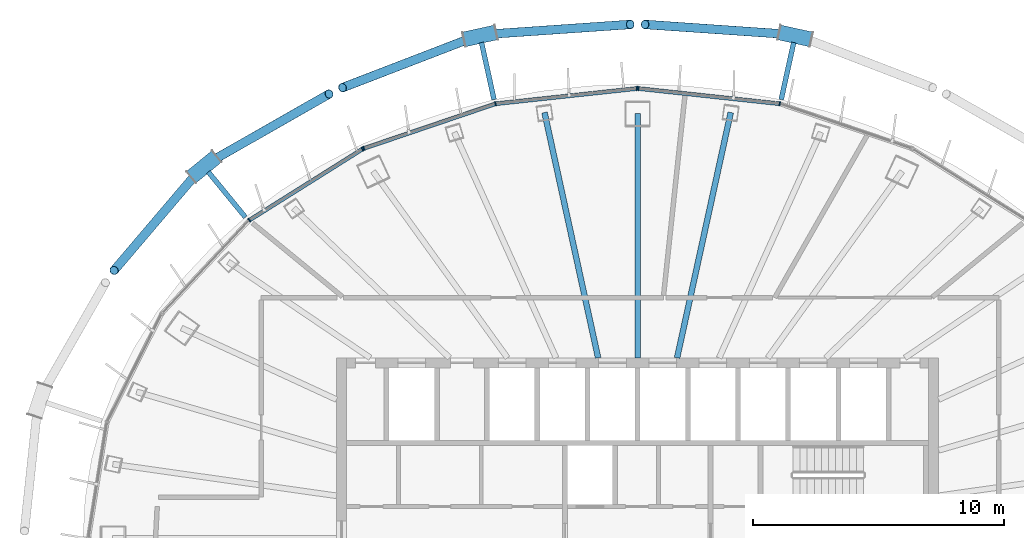
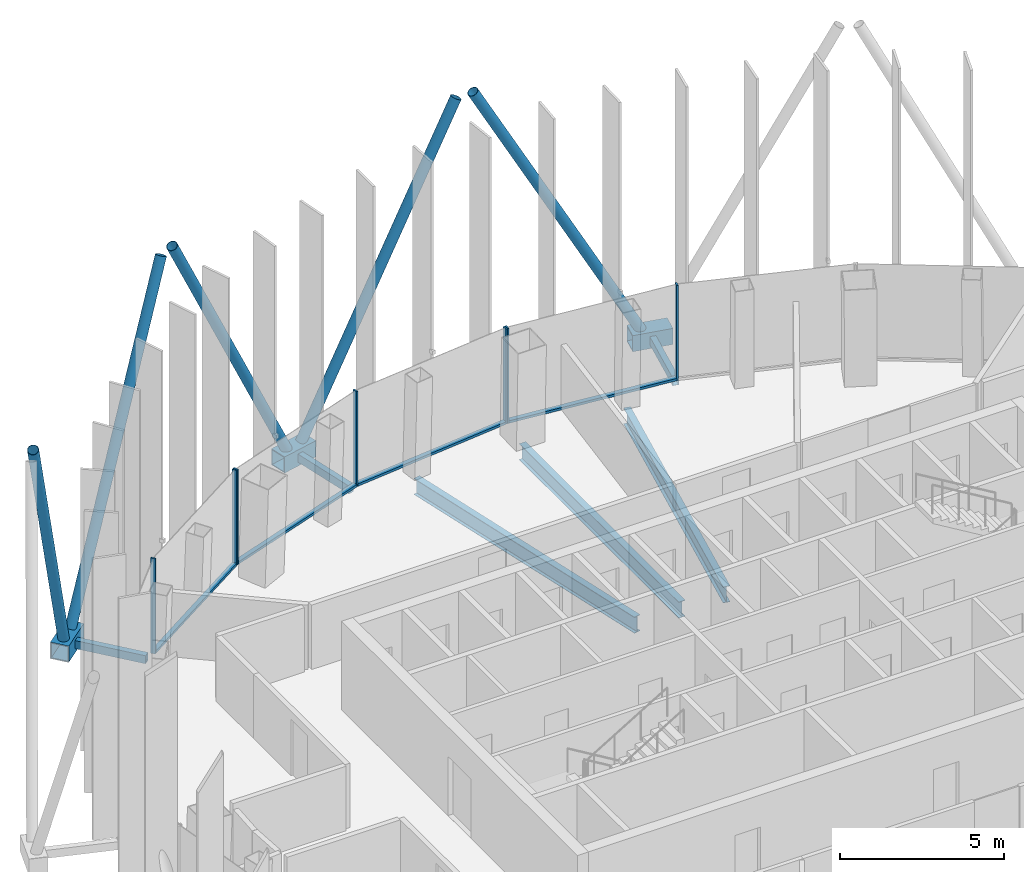
# One storey, part 7 of 19: 22 members, 3 beams, 3 elements without a shape of their own.
"""IFC4 building model written with IfcOpenShell, lengths in metres."""

from ifc_helpers import new_model, si_unit, direction, frame, origin, origin_2d, place, context, subcontext, project, spatial, rectangle, hollow_rectangle, hollow_circle, i_section, extrude, material, layer, layer_set, material_profile, profile_set, type_object, element, aggregate, save


model = new_model("IFC4")

# Units and contexts
model_context = context("Model", 3, precision=1e-05, world=origin(), true_north=direction((0.0, 1.0)))
body_context = subcontext(model_context, "Body", "Model", "MODEL_VIEW")
ifc_project = project(units=[si_unit("LENGTHUNIT", "METRE"), si_unit("AREAUNIT", "SQUARE_METRE"), si_unit("VOLUMEUNIT", "CUBIC_METRE"), si_unit("PLANEANGLEUNIT", "RADIAN"), si_unit("MASSUNIT", "GRAM", prefix="KILO")], contexts=[model_context])

# Site, building, storey
site_placement = place(None, origin())
site = spatial("IfcSite", under=ifc_project, at=site_placement, CompositionType="ELEMENT")
building_placement = place(site_placement, origin())
building = spatial("IfcBuilding", under=site, at=building_placement, Name="Siaravel Broadcast Tower", CompositionType="ELEMENT")
storey_placement = place(building_placement, frame((0.0, 0.0, 217.10009765625)))
storey = spatial("IfcBuildingStorey", under=building, at=storey_placement, Name="L52", CompositionType="ELEMENT", Elevation=217.10009765625)

# Beams
ifc_material_1 = material(Name="Steel S355", Category="steel")
ifc_material_profile_1 = material_profile(ifc_material_1, i_section(OverallWidth=0.2275390625, OverallDepth=0.6025390625, WebThickness=0.010498046875, FlangeThickness=0.014892578125, FilletRadius=0.0126953125, at=origin_2d()))
ifc_profile_set_1 = profile_set([ifc_material_profile_1], Name="Steel S355")
beam_type = type_object("IfcBeamType", Name="BM-UB 610x229x101", PredefinedType="BEAM", material=ifc_profile_set_1)
beam_1_placement = place(storey_placement, frame((3.710693359375, 16.977783203125, -0.451416015625), z_axis=(-0.213512097, -0.97694042, 0.0), x_axis=(0.97694042, -0.213512097, 0.0)))
element("IfcBeam", 1, at=beam_1_placement, inside=storey, type_object=beam_type, Name="Radial beam RB09", PredefinedType="BEAM", context=body_context, shape_type="SweptSolid", body=[
    extrude(i_section(OverallWidth=0.2275390625, OverallDepth=0.6025390625, WebThickness=0.010498046875, FlangeThickness=0.014892578125, FilletRadius=0.0126953125, at=origin_2d()), origin(), (0.0, 0.0, 1.0), 10.008544921875),
])
beam_2_placement = place(storey_placement, frame((0.0, 16.943603515625, -0.451416015625), z_axis=(0.0, -1.0, 0.0), x_axis=(1.0, 0.0, 0.0)))
element("IfcBeam", 2, at=beam_2_placement, inside=storey, type_object=beam_type, Name="Radial beam RB10", PredefinedType="BEAM", context=body_context, shape_type="SweptSolid", body=[
    extrude(i_section(OverallWidth=0.2275390625, OverallDepth=0.6025390625, WebThickness=0.010498046875, FlangeThickness=0.014892578125, FilletRadius=0.0126953125, at=origin_2d()), origin(), (0.0, 0.0, 1.0), 9.74365234375),
])
beam_3_placement = place(storey_placement, frame((-3.710693359375, 16.977783203125, -0.451416015625), z_axis=(0.213512097, -0.97694042, 0.0), x_axis=(0.97694042, 0.213512097, 0.0)))
element("IfcBeam", 3, at=beam_3_placement, inside=storey, type_object=beam_type, Name="Radial beam RB11", PredefinedType="BEAM", context=body_context, shape_type="SweptSolid", body=[
    extrude(i_section(OverallWidth=0.2275390625, OverallDepth=0.6025390625, WebThickness=0.010498046875, FlangeThickness=0.014892578125, FilletRadius=0.0126953125, at=origin_2d()), origin(), (0.0, 0.0, 1.0), 10.008544921875),
])

# Curtain wall, members
ifc_material_2 = material(Name="Aluminium 6063-T6", Category="aluminium")
ifc_layer = layer(ifc_material_2, 0.159912109375)
ifc_layer_set = layer_set([ifc_layer], Name="Aluminium 6063-T6")
curtain_wall_type = type_object("IfcCurtainWallType", Name="Unitised curtain wall, zone 4", PredefinedType="NOTDEFINED", material=ifc_layer_set)
curtain_wall_1_placement = place(storey_placement, origin())
curtain_wall_1 = element("IfcCurtainWall", 4, at=curtain_wall_1_placement, inside=storey, type_object=curtain_wall_type, Name="L52 Unitised curtain wall, zone 4 03", PredefinedType="NOTDEFINED")
ifc_material_profile_2 = material_profile(ifc_material_2, rectangle(XDim=0.159912109375, YDim=0.054931640625, at=origin_2d()))
ifc_profile_set_2 = profile_set([ifc_material_profile_2], Name="Aluminium 6063-T6")
member_type_1 = type_object("IfcMemberType", Name="CW-Z4 mullion", PredefinedType="MULLION", material=ifc_profile_set_2)
member_1_placement = place(storey_placement, frame((5.662353515625, 17.32568359375, 0.0), z_axis=(0.0, 0.0, 1.0), x_axis=(-0.215558493, -0.97649093, 0.0)))
member_1 = element("IfcMember", 5, at=member_1_placement, type_object=member_type_1, Name="CW-Z4 mullion 2", PredefinedType="MULLION", context=body_context, shape_type="SweptSolid", body=[
    extrude(rectangle(XDim=0.159912109375, YDim=0.054931640625, at=origin_2d()), origin(), (0.0, 0.0, 1.0), 3.5498046875),
])
member_2_placement = place(storey_placement, frame((0.02734375, 17.933349609375, 0.0), z_axis=(0.0, 0.0, 1.0), x_axis=(-0.107217705, -0.994235568, 0.0)))
member_2 = element("IfcMember", 6, at=member_2_placement, type_object=member_type_1, Name="CW-Z4 mullion 3", PredefinedType="MULLION", context=body_context, shape_type="SweptSolid", body=[
    extrude(rectangle(XDim=0.159912109375, YDim=0.054931640625, at=origin_2d()), origin(), (0.0, 0.0, 1.0), 3.5498046875),
])

curtain_wall_2_placement = place(storey_placement, origin())
curtain_wall_2 = element("IfcCurtainWall", 7, at=curtain_wall_2_placement, inside=storey, type_object=curtain_wall_type, Name="L52 Unitised curtain wall, zone 4 04", PredefinedType="NOTDEFINED")
member_3_placement = place(storey_placement, frame((-0.02734375, 17.933349609375, 0.0), z_axis=(0.0, 0.0, 1.0), x_axis=(0.107217705, -0.994235568, 0.0)))
member_3 = element("IfcMember", 8, at=member_3_placement, type_object=member_type_1, Name="CW-Z4 mullion 1", PredefinedType="MULLION", context=body_context, shape_type="SweptSolid", body=[
    extrude(rectangle(XDim=0.159912109375, YDim=0.054931640625, at=origin_2d()), origin(), (0.0, 0.0, 1.0), 3.5498046875),
])
member_4_placement = place(storey_placement, frame((-5.662353515625, 17.32568359375, 0.0), z_axis=(0.0, 0.0, 1.0), x_axis=(0.215558493, -0.97649093, 0.0)))
member_4 = element("IfcMember", 9, at=member_4_placement, type_object=member_type_1, Name="CW-Z4 mullion 2", PredefinedType="MULLION", context=body_context, shape_type="SweptSolid", body=[
    extrude(rectangle(XDim=0.159912109375, YDim=0.054931640625, at=origin_2d()), origin(), (0.0, 0.0, 1.0), 3.5498046875),
])
member_5_placement = place(storey_placement, frame((-10.913330078125, 15.5439453125, 0.0), z_axis=(0.0, 0.0, 1.0), x_axis=(0.321301242, -0.946977039, 0.0)))
member_5 = element("IfcMember", 10, at=member_5_placement, type_object=member_type_1, Name="CW-Z4 mullion 3", PredefinedType="MULLION", context=body_context, shape_type="SweptSolid", body=[
    extrude(rectangle(XDim=0.159912109375, YDim=0.054931640625, at=origin_2d()), origin(), (0.0, 0.0, 1.0), 3.5498046875),
])

curtain_wall_3_placement = place(storey_placement, origin())
curtain_wall_3 = element("IfcCurtainWall", 11, at=curtain_wall_3_placement, inside=storey, type_object=curtain_wall_type, Name="L52 Unitised curtain wall, zone 4 05", PredefinedType="NOTDEFINED")
member_6_placement = place(storey_placement, frame((-10.962890625, 15.5205078125, 0.0), z_axis=(0.0, 0.0, 1.0), x_axis=(0.53215013, -0.84665001, 0.0)))
member_6 = element("IfcMember", 12, at=member_6_placement, type_object=member_type_1, Name="CW-Z4 mullion 1", PredefinedType="MULLION", context=body_context, shape_type="SweptSolid", body=[
    extrude(rectangle(XDim=0.159912109375, YDim=0.054931640625, at=origin_2d()), origin(), (0.0, 0.0, 1.0), 3.5498046875),
])
member_7_placement = place(storey_placement, frame((-15.47216796875, 12.686279296875, 0.0), z_axis=(0.0, 0.0, 1.0), x_axis=(0.636219575, -0.771508038, 0.0)))
member_7 = element("IfcMember", 13, at=member_7_placement, type_object=member_type_1, Name="CW-Z4 mullion 2", PredefinedType="MULLION", context=body_context, shape_type="SweptSolid", body=[
    extrude(rectangle(XDim=0.159912109375, YDim=0.054931640625, at=origin_2d()), origin(), (0.0, 0.0, 1.0), 3.5498046875),
])

# Member
ifc_material_profile_3 = material_profile(ifc_material_2, rectangle(XDim=0.159912109375, YDim=0.090087890625, at=origin_2d()))
ifc_profile_set_3 = profile_set([ifc_material_profile_3], Name="Aluminium 6063-T6")
member_type_2 = type_object("IfcMemberType", Name="CW-Z4 transom", PredefinedType="USERDEFINED", material=ifc_profile_set_3)
member_8_placement = place(storey_placement, frame((5.635009765625, 17.32861328125, 0.044921875), z_axis=(-0.994235028, 0.107222704, 0.0), x_axis=(-0.107222704, -0.994235028, 0.0)))
member_8 = element("IfcMember", 14, at=member_8_placement, type_object=member_type_2, Name="CW-Z4 transom 2", ObjectType="TRANSOM", PredefinedType="USERDEFINED", context=body_context, shape_type="SweptSolid", body=[
    extrude(rectangle(XDim=0.159912109375, YDim=0.090087890625, at=origin_2d()), origin(), (0.0, 0.0, 1.0), 5.61279296875),
])

aggregate(curtain_wall_1, [member_1, member_2, member_8])

member_9_placement = place(storey_placement, frame((-0.0546875, 17.930419921875, 0.044921875), z_axis=(-0.994235028, -0.107222704, 0.0), x_axis=(0.107222704, -0.994235028, 0.0)))
member_9 = element("IfcMember", 15, at=member_9_placement, type_object=member_type_2, Name="CW-Z4 transom 1", ObjectType="TRANSOM", PredefinedType="USERDEFINED", context=body_context, shape_type="SweptSolid", body=[
    extrude(rectangle(XDim=0.159912109375, YDim=0.090087890625, at=origin_2d()), origin(), (0.0, 0.0, 1.0), 5.61279296875),
])

member_10_placement = place(storey_placement, frame((-5.6884765625, 17.31689453125, 0.044921875), z_axis=(-0.946979908, -0.321292784, 0.0), x_axis=(0.321292784, -0.946979908, 0.0)))
member_10 = element("IfcMember", 16, at=member_10_placement, type_object=member_type_2, Name="CW-Z4 transom 2", ObjectType="TRANSOM", PredefinedType="USERDEFINED", context=body_context, shape_type="SweptSolid", body=[
    extrude(rectangle(XDim=0.159912109375, YDim=0.090087890625, at=origin_2d()), origin(), (0.0, 0.0, 1.0), 5.489990234375),
])

aggregate(curtain_wall_2, [member_3, member_4, member_5, member_9, member_10])

member_11_placement = place(storey_placement, frame((-10.986083984375, 15.505859375, 0.044921875), z_axis=(-0.846642511, -0.53216206, 0.0), x_axis=(0.53216206, -0.846642511, 0.0)))
member_11 = element("IfcMember", 17, at=member_11_placement, type_object=member_type_2, Name="CW-Z4 transom 1", ObjectType="TRANSOM", PredefinedType="USERDEFINED", context=body_context, shape_type="SweptSolid", body=[
    extrude(rectangle(XDim=0.159912109375, YDim=0.090087890625, at=origin_2d()), origin(), (0.0, 0.0, 1.0), 5.271240234375),
])

aggregate(curtain_wall_3, [member_6, member_7, member_11])

# Members
ifc_material_3 = material(Name="Steel S460", Category="steel")
ifc_material_profile_4 = material_profile(ifc_material_3, hollow_circle(Radius=0.177734375, WallThickness=0.012451171875, at=origin_2d()))
ifc_profile_set_4 = profile_set([ifc_material_profile_4], Name="Steel S460")
member_type_3 = type_object("IfcMemberType", Name="Diagrid diagonal CHS 355.6x12.5", PredefinedType="BRACE", material=ifc_profile_set_4)
for number, where, z_axis, x_axis, name in (
    (18, (5.990234375, 20.093505859375, 0.06982421875), (-0.472653432, 0.032604475, 0.880645037), (-0.068818238, -0.997629215, 0.0), "Diagrid diagonal R22 station 15A"),
    (19, (-5.990234375, 20.093505859375, 0.06982421875), (0.472653432, 0.032604475, 0.880645037), (-0.068818238, 0.997629215, 0.0), "Diagrid diagonal R22 station 21C"),
):
    element("IfcMember", number, at=place(storey_placement, frame(where, z_axis=z_axis, x_axis=x_axis)), inside=storey, type_object=member_type_3, Name=name, PredefinedType="BRACE", context=body_context, shape_type="SweptSolid", body=[
        extrude(hollow_circle(Radius=0.177734375, WallThickness=0.012451171875, at=origin_2d()), origin(), (0.0, 0.0, 1.0), 12.048095703125),
    ])
member_12_placement = place(storey_placement, frame((-6.567626953125, 19.966552734375, 0.06982421875), z_axis=(-0.433565517, -0.166901737, 0.885530774), x_axis=(0.359252394, -0.933240439, 0.0)))
element("IfcMember", 20, at=member_12_placement, inside=storey, type_object=member_type_3, Name="Diagrid diagonal R22 station 21A", PredefinedType="BRACE", context=body_context, shape_type="SweptSolid", body=[
    extrude(hollow_circle(Radius=0.177734375, WallThickness=0.012451171875, at=origin_2d()), origin(), (0.0, 0.0, 1.0), 11.981689453125),
])
member_13_placement = place(storey_placement, frame((-17.05029296875, 15.00244140625, 0.06982421875), z_axis=(0.398166084, 0.227140765, 0.888746782), x_axis=(-0.495509431, 0.868602558, 0.0)))
element("IfcMember", 21, at=member_13_placement, inside=storey, type_object=member_type_3, Name="Diagrid diagonal R22 station 27C", PredefinedType="BRACE", context=body_context, shape_type="SweptSolid", body=[
    extrude(hollow_circle(Radius=0.177734375, WallThickness=0.012451171875, at=origin_2d()), origin(), (0.0, 0.0, 1.0), 11.938232421875),
])
member_14_placement = place(storey_placement, frame((-17.5078125, 14.6279296875, 0.06982421875), z_axis=(-0.284370555, -0.334140055, 0.89860103), x_axis=(0.761543844, -0.648113396, 0.0)))
element("IfcMember", 22, at=member_14_placement, inside=storey, type_object=member_type_3, Name="Diagrid diagonal R22 station 27A", PredefinedType="BRACE", context=body_context, shape_type="SweptSolid", body=[
    extrude(hollow_circle(Radius=0.177734375, WallThickness=0.012451171875, at=origin_2d()), origin(), (0.0, 0.0, 1.0), 11.807373046875),
])
ifc_material_profile_5 = material_profile(ifc_material_3, hollow_rectangle(XDim=0.60009765625, YDim=0.60009765625, WallThickness=0.031982421875, at=origin_2d()))
ifc_profile_set_5 = profile_set([ifc_material_profile_5], Name="Steel S460")
member_type_4 = type_object("IfcMemberType", Name="Diagrid node BOX 600x600x32", PredefinedType="USERDEFINED", material=ifc_profile_set_5)
for number, where, z_axis, x_axis, name in (
    (23, (6.91064453125, 19.891357421875, -0.2001953125), (-0.976743379, 0.214411687, 0.0), (-0.214411687, -0.976743379, 0.0), "Diagrid node R22 station 15"),
    (24, (-5.647216796875, 20.168701171875, -0.2001953125), (-0.976743379, -0.214411687, 0.0), (0.214411687, -0.976743379, 0.0), "Diagrid node R22 station 21"),
):
    element("IfcMember", number, at=place(storey_placement, frame(where, z_axis=z_axis, x_axis=x_axis)), inside=storey, type_object=member_type_4, Name=name, ObjectType="DIAGRID NODE", PredefinedType="USERDEFINED", context=body_context, shape_type="SweptSolid", body=[
        extrude(hollow_rectangle(XDim=0.60009765625, YDim=0.60009765625, WallThickness=0.031982421875, at=origin_2d()), origin(), (0.0, 0.0, 1.0), 1.29345703125),
    ])
member_15_placement = place(storey_placement, frame((-16.77880859375, 15.22509765625, -0.2001953125), z_axis=(-0.773578687, -0.633700257, 0.0), x_axis=(0.633700257, -0.773578687, 0.0)))
element("IfcMember", 25, at=member_15_placement, inside=storey, type_object=member_type_4, Name="Diagrid node R22 station 27", ObjectType="DIAGRID NODE", PredefinedType="USERDEFINED", context=body_context, shape_type="SweptSolid", body=[
    extrude(hollow_rectangle(XDim=0.60009765625, YDim=0.60009765625, WallThickness=0.031982421875, at=origin_2d()), origin(), (0.0, 0.0, 1.0), 1.293212890625),
])
ifc_material_profile_6 = material_profile(ifc_material_3, hollow_rectangle(XDim=0.199951171875, YDim=0.300048828125, WallThickness=0.012451171875, at=origin_2d()))
ifc_profile_set_6 = profile_set([ifc_material_profile_6], Name="Steel S460")
member_type_5 = type_object("IfcMemberType", Name="Diagrid node arm RHS 300x200x12.5", PredefinedType="STRUT", material=ifc_profile_set_6)
for number, where, z_axis, x_axis, name in (
    (26, (5.721435546875, 17.490478515625, -0.2001953125), (0.214378037, 0.976750765, 0.0), (-0.976750765, 0.214378037, 0.0), "Node arm R22 station 15"),
    (27, (-5.721435546875, 17.490478515625, -0.2001953125), (-0.214378037, 0.976750765, 0.0), (-0.976750765, -0.214378037, 0.0), "Node arm R22 station 21"),
):
    element("IfcMember", number, at=place(storey_placement, frame(where, z_axis=z_axis, x_axis=x_axis)), inside=storey, type_object=member_type_5, Name=name, PredefinedType="STRUT", context=body_context, shape_type="SweptSolid", body=[
        extrude(hollow_rectangle(XDim=0.199951171875, YDim=0.300048828125, WallThickness=0.012451171875, at=origin_2d()), origin(), (0.0, 0.0, 1.0), 2.330078125),
    ])
member_16_placement = place(storey_placement, frame((-15.63134765625, 12.803955078125, -0.2001953125), z_axis=(-0.63375121, 0.773536944, 0.0), x_axis=(-0.773536944, -0.63375121, 0.0)))
element("IfcMember", 28, at=member_16_placement, inside=storey, type_object=member_type_5, Name="Node arm R22 station 27", PredefinedType="STRUT", context=body_context, shape_type="SweptSolid", body=[
    extrude(hollow_rectangle(XDim=0.199951171875, YDim=0.300048828125, WallThickness=0.012451171875, at=origin_2d()), origin(), (0.0, 0.0, 1.0), 2.329833984375),
])

save(model, "model.ifc")
